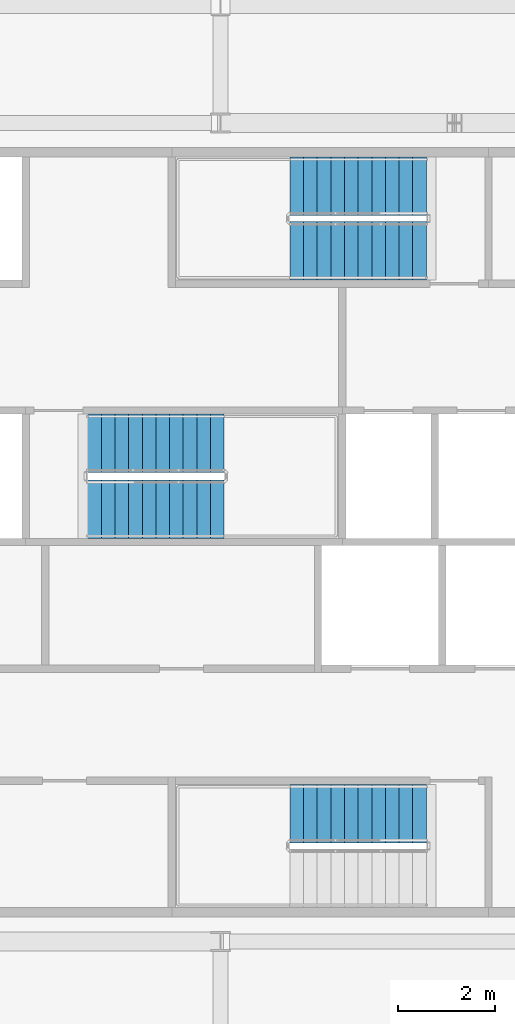
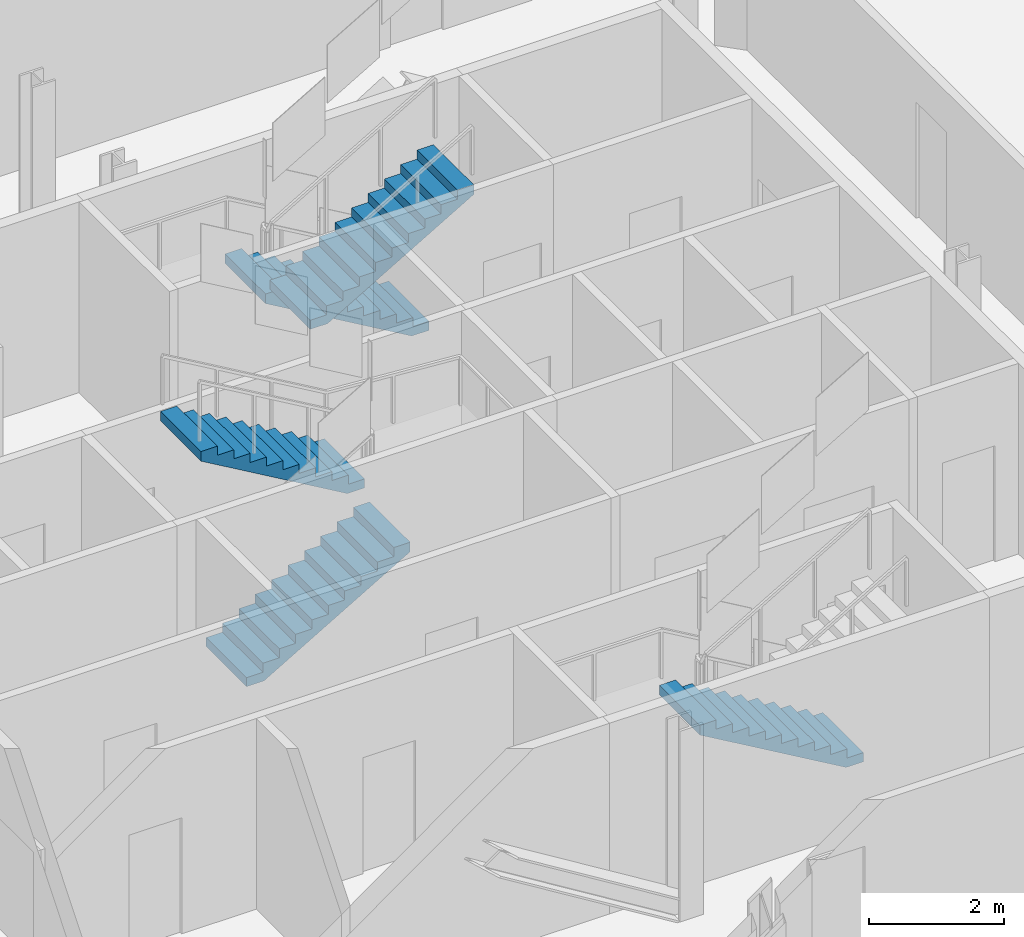
# One storey, part 14 of 19: 5 stair flights, 3 elements without a shape of their own.
"""IFC4 building model written with IfcOpenShell, lengths in metres."""

from ifc_helpers import new_model, si_unit, direction, frame, origin, place, context, subcontext, project, spatial, polyline, outline, extrude, material, type_object, element, aggregate, save


model = new_model("IFC4")

# Units and contexts
model_context = context("Model", 3, precision=1e-05, world=origin(), true_north=direction((0.0, 1.0)))
body_context = subcontext(model_context, "Body", "Model", "MODEL_VIEW")
ifc_project = project(units=[si_unit("LENGTHUNIT", "METRE"), si_unit("AREAUNIT", "SQUARE_METRE"), si_unit("VOLUMEUNIT", "CUBIC_METRE"), si_unit("PLANEANGLEUNIT", "RADIAN"), si_unit("MASSUNIT", "GRAM", prefix="KILO")], contexts=[model_context])

# Site, building, storey
site_placement = place(None, origin())
site = spatial("IfcSite", under=ifc_project, at=site_placement, CompositionType="ELEMENT")
building_placement = place(site_placement, origin())
building = spatial("IfcBuilding", under=site, at=building_placement, Name="Cairn Pilgrim Tower", CompositionType="ELEMENT")
storey_placement = place(building_placement, frame((0.0, 0.0, 193.800048828125)))
storey = spatial("IfcBuildingStorey", under=building, at=storey_placement, Name="L49", CompositionType="ELEMENT", Elevation=193.800048828125)

# Stair, stair flight
ifc_material = material(Name="Concrete C32/40", Category="concrete")
stair_type = type_object("IfcStairType", Name="EXIT STAIR 1200", PredefinedType="HALF_TURN_STAIR", material=ifc_material)
stair_1_placement = place(storey_placement, origin())
stair_1 = element("IfcStair", 1, at=stair_1_placement, inside=storey, type_object=stair_type, Name="L49 Exit Stair A", PredefinedType="HALF_TURN_STAIR")
stair_flight_type = type_object("IfcStairFlightType", Name="STAIR FLIGHT 1200", PredefinedType="STRAIGHT", material=ifc_material)
stair_flight_1_placement = place(storey_placement, frame((11.425048828125, -3.375, 0.0), z_axis=(0.0, 0.0, 1.0), x_axis=(-1.0, 0.0, 0.0)))
stair_flight_1 = element("IfcStairFlight", 2, at=stair_flight_1_placement, type_object=stair_flight_type, Name="ST-A flight 1", NumberOfRisers=11, NumberOfTreads=10, PredefinedType="STRAIGHT", RiserHeight=0.163636364, TreadLength=0.28, context=body_context, shape_type="SweptSolid", body=[
    extrude(outline(polyline([(0.0, 0.0), (0.0, 0.16357421875), (0.280029296875, 0.16357421875), (0.280029296875, 0.327392578125), (0.56005859375, 0.327392578125), (0.56005859375, 0.490966796875), (0.840087890625, 0.490966796875), (0.840087890625, 0.654541015625), (1.1201171875, 0.654541015625), (1.1201171875, 0.818115234375), (1.39990234375, 0.818115234375), (1.39990234375, 0.98193359375), (1.679931640625, 0.98193359375), (1.679931640625, 1.1455078125), (1.9599609375, 1.1455078125), (1.9599609375, 1.30908203125), (2.239990234375, 1.30908203125), (2.239990234375, 1.47265625), (2.52001953125, 1.47265625), (2.52001953125, 1.636474609375), (2.800048828125, 1.636474609375), (2.800048828125, 1.800048828125), (2.800048828125, 1.462646484375), (0.297119140625, 0.0), (0.0, 0.0)])), frame((0.0, 0.60009765625, 0.0), z_axis=(0.0, -1.0, 0.0), x_axis=(1.0, 0.0, 0.0)), (0.0, 0.0, 1.0), 1.199951171875),
])
aggregate(stair_1, [stair_flight_1])

# Stair, stair flights
stair_2_placement = place(storey_placement, origin())
stair_2 = element("IfcStair", 3, at=stair_2_placement, inside=storey, type_object=stair_type, Name="L49 Exit Stair B", PredefinedType="HALF_TURN_STAIR")
stair_flight_2_placement = place(storey_placement, frame((4.47509765625, 2.875, 0.0), z_axis=(0.0, 0.0, 1.0), x_axis=(1.0, 0.0, 0.0)))
stair_flight_2 = element("IfcStairFlight", 4, at=stair_flight_2_placement, type_object=stair_flight_type, Name="ST-B flight 1", NumberOfRisers=11, NumberOfTreads=10, PredefinedType="STRAIGHT", RiserHeight=0.163636364, TreadLength=0.28, context=body_context, shape_type="SweptSolid", body=[
    extrude(outline(polyline([(0.0, 0.0), (0.0, 0.16357421875), (0.280029296875, 0.16357421875), (0.280029296875, 0.327392578125), (0.56005859375, 0.327392578125), (0.56005859375, 0.490966796875), (0.840087890625, 0.490966796875), (0.840087890625, 0.654541015625), (1.1201171875, 0.654541015625), (1.1201171875, 0.818115234375), (1.39990234375, 0.818115234375), (1.39990234375, 0.98193359375), (1.679931640625, 0.98193359375), (1.679931640625, 1.1455078125), (1.9599609375, 1.1455078125), (1.9599609375, 1.30908203125), (2.239990234375, 1.30908203125), (2.239990234375, 1.47265625), (2.52001953125, 1.47265625), (2.52001953125, 1.636474609375), (2.800048828125, 1.636474609375), (2.800048828125, 1.800048828125), (2.800048828125, 1.462646484375), (0.297119140625, 0.0), (0.0, 0.0)])), frame((0.0, 0.60009765625, 0.0), z_axis=(0.0, -1.0, 0.0), x_axis=(1.0, 0.0, 0.0)), (0.0, 0.0, 1.0), 1.199951171875),
])
stair_flight_3_placement = place(storey_placement, frame((7.27490234375, 4.22509765625, 1.800048828125), z_axis=(0.0, 0.0, 1.0), x_axis=(-1.0, 0.0, 0.0)))
stair_flight_3 = element("IfcStairFlight", 5, at=stair_flight_3_placement, type_object=stair_flight_type, Name="ST-B flight 2", NumberOfRisers=11, NumberOfTreads=10, PredefinedType="STRAIGHT", RiserHeight=0.163636364, TreadLength=0.28, context=body_context, shape_type="SweptSolid", body=[
    extrude(outline(polyline([(0.0, 0.0), (0.0, 0.16357421875), (0.280029296875, 0.16357421875), (0.280029296875, 0.327392578125), (0.56005859375, 0.327392578125), (0.56005859375, 0.490966796875), (0.840087890625, 0.490966796875), (0.840087890625, 0.654541015625), (1.1201171875, 0.654541015625), (1.1201171875, 0.818115234375), (1.39990234375, 0.818115234375), (1.39990234375, 0.98193359375), (1.679931640625, 0.98193359375), (1.679931640625, 1.1455078125), (1.9599609375, 1.1455078125), (1.9599609375, 1.30908203125), (2.239990234375, 1.30908203125), (2.239990234375, 1.47265625), (2.52001953125, 1.47265625), (2.52001953125, 1.636474609375), (2.800048828125, 1.636474609375), (2.800048828125, 1.800048828125), (2.800048828125, 1.462646484375), (0.297119140625, 0.0), (0.0, 0.0)])), frame((0.0, 0.60009765625, 0.0), z_axis=(0.0, -1.0, 0.0), x_axis=(1.0, 0.0, 0.0)), (0.0, 0.0, 1.0), 1.199951171875),
])
aggregate(stair_2, [stair_flight_2, stair_flight_3])

stair_3_placement = place(storey_placement, origin())
stair_3 = element("IfcStair", 6, at=stair_3_placement, inside=storey, type_object=stair_type, Name="L49 Exit Stair C", PredefinedType="HALF_TURN_STAIR")
stair_flight_4_placement = place(storey_placement, frame((11.425048828125, 9.5, 0.0), z_axis=(0.0, 0.0, 1.0), x_axis=(-1.0, 0.0, 0.0)))
stair_flight_4 = element("IfcStairFlight", 7, at=stair_flight_4_placement, type_object=stair_flight_type, Name="ST-C flight 1", NumberOfRisers=11, NumberOfTreads=10, PredefinedType="STRAIGHT", RiserHeight=0.163636364, TreadLength=0.28, context=body_context, shape_type="SweptSolid", body=[
    extrude(outline(polyline([(0.0, 0.0), (0.0, 0.16357421875), (0.280029296875, 0.16357421875), (0.280029296875, 0.327392578125), (0.56005859375, 0.327392578125), (0.56005859375, 0.490966796875), (0.840087890625, 0.490966796875), (0.840087890625, 0.654541015625), (1.1201171875, 0.654541015625), (1.1201171875, 0.818115234375), (1.39990234375, 0.818115234375), (1.39990234375, 0.98193359375), (1.679931640625, 0.98193359375), (1.679931640625, 1.1455078125), (1.9599609375, 1.1455078125), (1.9599609375, 1.30908203125), (2.239990234375, 1.30908203125), (2.239990234375, 1.47265625), (2.52001953125, 1.47265625), (2.52001953125, 1.636474609375), (2.800048828125, 1.636474609375), (2.800048828125, 1.800048828125), (2.800048828125, 1.462646484375), (0.297119140625, 0.0), (0.0, 0.0)])), frame((0.0, 0.60009765625, 0.0), z_axis=(0.0, -1.0, 0.0), x_axis=(1.0, 0.0, 0.0)), (0.0, 0.0, 1.0), 1.199951171875),
])
stair_flight_5_placement = place(storey_placement, frame((8.625, 8.175048828125, 1.800048828125), z_axis=(0.0, 0.0, 1.0), x_axis=(1.0, 0.0, 0.0)))
stair_flight_5 = element("IfcStairFlight", 8, at=stair_flight_5_placement, type_object=stair_flight_type, Name="ST-C flight 2", NumberOfRisers=11, NumberOfTreads=10, PredefinedType="STRAIGHT", RiserHeight=0.163636364, TreadLength=0.28, context=body_context, shape_type="SweptSolid", body=[
    extrude(outline(polyline([(0.0, 0.0), (0.0, 0.16357421875), (0.280029296875, 0.16357421875), (0.280029296875, 0.327392578125), (0.56005859375, 0.327392578125), (0.56005859375, 0.490966796875), (0.840087890625, 0.490966796875), (0.840087890625, 0.654541015625), (1.1201171875, 0.654541015625), (1.1201171875, 0.818115234375), (1.39990234375, 0.818115234375), (1.39990234375, 0.98193359375), (1.679931640625, 0.98193359375), (1.679931640625, 1.1455078125), (1.9599609375, 1.1455078125), (1.9599609375, 1.30908203125), (2.239990234375, 1.30908203125), (2.239990234375, 1.47265625), (2.52001953125, 1.47265625), (2.52001953125, 1.636474609375), (2.800048828125, 1.636474609375), (2.800048828125, 1.800048828125), (2.800048828125, 1.462646484375), (0.297119140625, 0.0), (0.0, 0.0)])), frame((0.0, 0.60009765625, 0.0), z_axis=(0.0, -1.0, 0.0), x_axis=(1.0, 0.0, 0.0)), (0.0, 0.0, 1.0), 1.199951171875),
])
aggregate(stair_3, [stair_flight_4, stair_flight_5])

save(model, "model.ifc")
